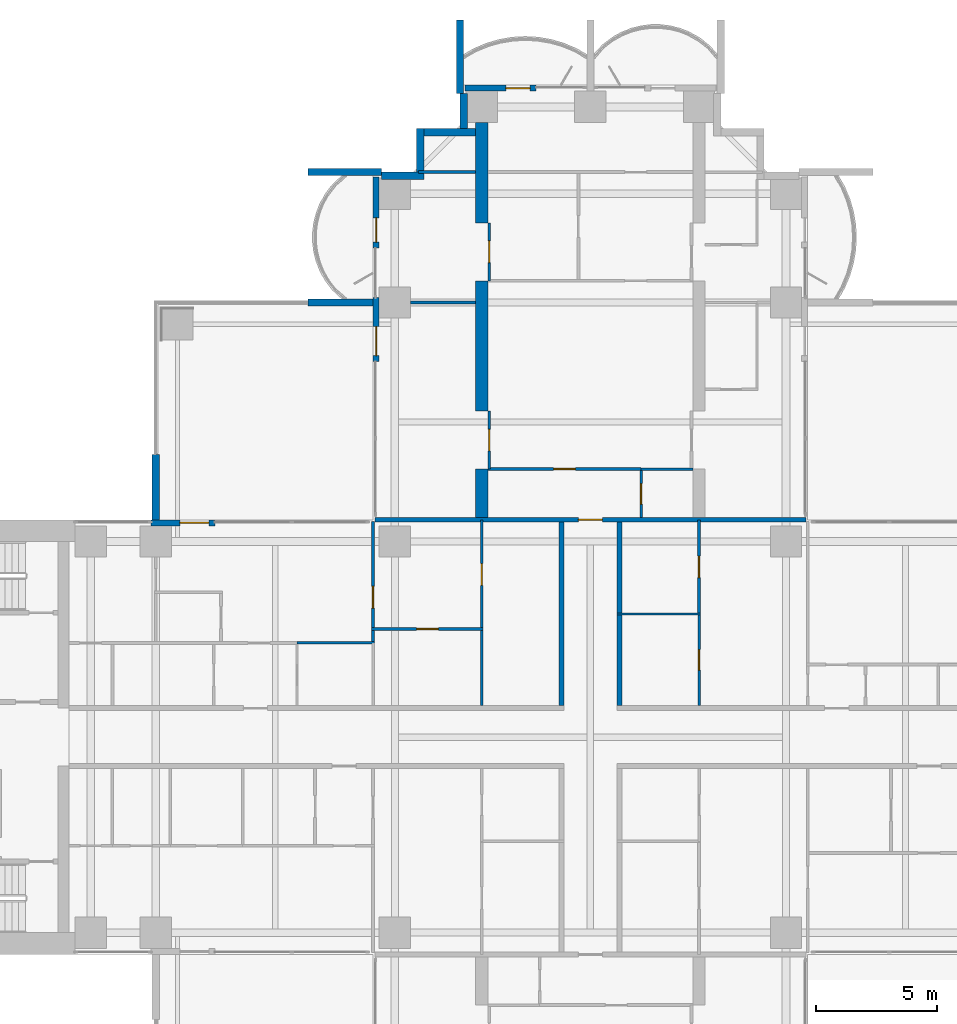
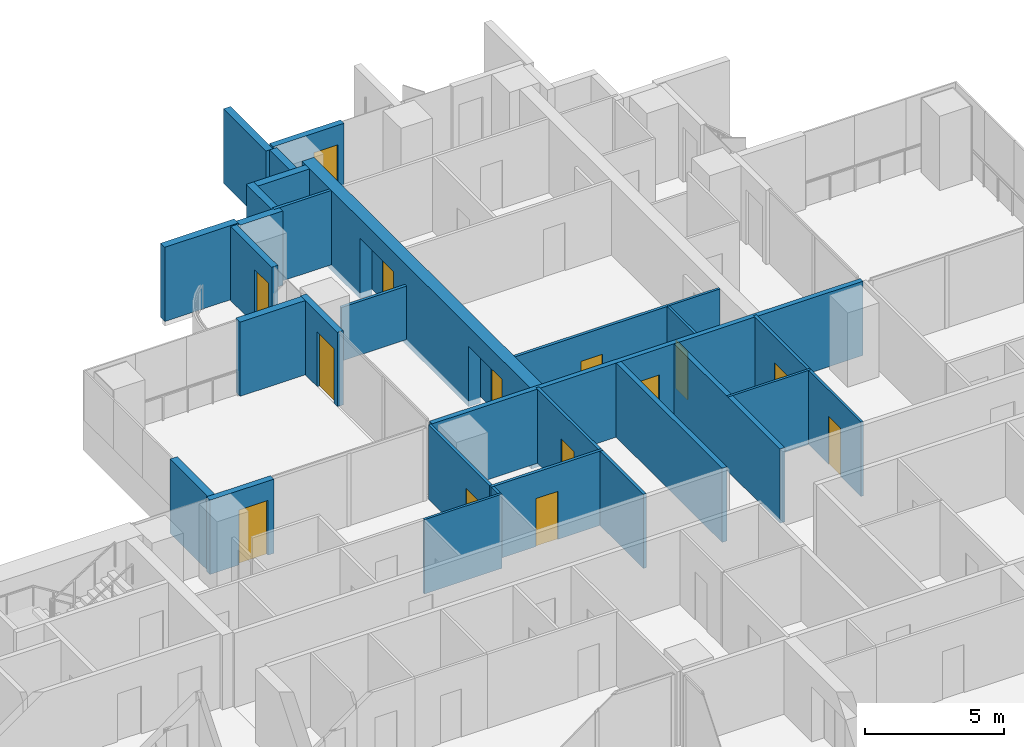
# One storey, part 14 of 21: 30 walls, 14 doors, 14 openings.
"""IFC4 building model written with IfcOpenShell, lengths in metres."""

from ifc_helpers import new_model, si_unit, direction, frame, frame_2d, origin, place, context, subcontext, project, spatial, polyline, rectangle, outline, extrude, material, layer, layer_set, material_profile, profile_set, type_object, element, fill, save


model = new_model("IFC4")

# Units and contexts
model_context = context("Model", 3, precision=1e-05, world=origin(), true_north=direction((0.0, 1.0)))
body_context = subcontext(model_context, "Body", "Model", "MODEL_VIEW")
ifc_project = project(units=[si_unit("LENGTHUNIT", "METRE"), si_unit("AREAUNIT", "SQUARE_METRE"), si_unit("VOLUMEUNIT", "CUBIC_METRE"), si_unit("PLANEANGLEUNIT", "RADIAN"), si_unit("MASSUNIT", "GRAM", prefix="KILO")], contexts=[model_context])

# Site, building, storey
site_placement = place(None, origin())
site = spatial("IfcSite", under=ifc_project, at=site_placement, CompositionType="ELEMENT")
building_placement = place(site_placement, origin())
building = spatial("IfcBuilding", under=site, at=building_placement, Name="Perihelion Cross Residences", CompositionType="ELEMENT")
storey_placement = place(building_placement, frame((0.0, 0.0, 40.0)))
storey = spatial("IfcBuildingStorey", under=building, at=storey_placement, Name="L06", CompositionType="ELEMENT", Elevation=40.0)

# Walls
ifc_material_1 = material(Name="Plasterboard partition")
ifc_layer_1 = layer(ifc_material_1, 0.199951171875)
ifc_layer_set_1 = layer_set([ifc_layer_1], Name="Apartment separation wall 200")
wall_type_1 = type_object("IfcWallType", Name="Apartment separation wall 200", PredefinedType="PARTITIONING", material=ifc_layer_set_1)
for number, where, z_axis, x_axis, name in (
    (1, (1.199951171875, 8.89990234375, 0.0), (0.0, 0.0, 1.0), (0.0, -1.0, 0.0), "Partition L06 W002"),
    (2, (-1.199951171875, 1.300048828125, 0.0), (0.0, 0.0, 1.0), (0.0, 1.0, 0.0), "Partition L06 W006"),
):
    element("IfcWall", number, at=place(storey_placement, frame(where, z_axis=z_axis, x_axis=x_axis)), inside=storey, type_object=wall_type_1, Name=name, PredefinedType="PARTITIONING", context=body_context, shape_type="SweptSolid", body=[
        extrude(rectangle(XDim=7.599853515625, YDim=0.199951171875, at=frame_2d((3.7998046875, 0.0))), origin(), (0.0, 0.0, 1.0), 3.25),
    ])

# Wall, opening, door
wall_1_placement = place(storey_placement, frame((-8.919921875, 9.0, 0.0), z_axis=(0.0, 0.0, 1.0), x_axis=(1.0, 0.0, 0.0)))
wall_1 = element("IfcWall", 3, at=wall_1_placement, inside=storey, type_object=wall_type_1, Name="Partition L06 W009", PredefinedType="PARTITIONING", context=body_context, shape_type="SweptSolid", body=[
    extrude(rectangle(XDim=17.83984375, YDim=0.199951171875, at=frame_2d((8.919921875, 0.0))), origin(), (0.0, 0.0, 1.0), 3.25),
])
opening_1_placement = place(wall_1_placement, frame((8.419921875, 0.0, 0.0)))
opening_1 = element("IfcOpeningElement", 4, at=opening_1_placement, cuts=wall_1, Name="Opening L06.A34", PredefinedType="OPENING", context=body_context, shape_type="SweptSolid", body=[
    extrude(rectangle(XDim=1.0, YDim=2.10009765625, at=frame_2d((0.5, 1.050048828125))), frame((0.0, 0.10986328125, 0.0), z_axis=(0.0, -1.0, 0.0), x_axis=(1.0, 0.0, 0.0)), (0.0, 0.0, 1.0), 0.219970703125),
])
ifc_material_2 = material(Name="Timber door leaf", Category="wood")
door_type_1 = type_object("IfcDoorType", Name="Flat entrance door 1000 x 2100", OperationType="SINGLE_SWING_LEFT", PredefinedType="DOOR", material=ifc_material_2)
door_1_placement = place(opening_1_placement, origin())
door_1 = element("IfcDoor", 5, at=door_1_placement, inside=storey, type_object=door_type_1, Name="Door L06.A34", OperationType="SINGLE_SWING_RIGHT", OverallHeight=2.10009765625, OverallWidth=1.0, PredefinedType="DOOR", context=body_context, shape_type="SweptSolid", body=[
    extrude(rectangle(XDim=1.0, YDim=2.10009765625, at=frame_2d((0.5, 1.050048828125))), frame((0.0, 0.02490234375, 0.0), z_axis=(0.0, -1.0, 0.0), x_axis=(1.0, 0.0, 0.0)), (0.0, 0.0, 1.0), 0.050048828125),
])
fill(opening_1, door_1)

ifc_material_3 = material(Name="Concrete C30/37, bronze-clad", Category="concrete")
ifc_layer_2 = layer(ifc_material_3, 0.25)
ifc_layer_set_2 = layer_set([ifc_layer_2], Name="Bronze-clad pier wall 250")
wall_type_2 = type_object("IfcWallType", Name="Bronze-clad pier wall 250", PredefinedType="SOLIDWALL", material=ifc_layer_set_2)
wall_2_placement = place(storey_placement, frame((-2.25, 26.875, 0.0), z_axis=(0.0, 0.0, 1.0), x_axis=(-1.0, 0.0, 0.0)))
wall_2 = element("IfcWall", 6, at=wall_2_placement, inside=storey, type_object=wall_type_2, Name="Wall FW1 L06 north tip north bay 2 pier", PredefinedType="SOLIDWALL", context=body_context, shape_type="SweptSolid", body=[
    extrude(rectangle(XDim=2.949951171875, YDim=0.25, at=frame_2d((1.47509765625, 0.0))), origin(), (0.0, 0.0, 1.0), 3.25),
])
opening_2_placement = place(wall_2_placement, frame((0.25, 0.0, 0.0)))
opening_2 = element("IfcOpeningElement", 7, at=opening_2_placement, cuts=wall_2, Name="Opening L06.E05", PredefinedType="OPENING", context=body_context, shape_type="SweptSolid", body=[
    extrude(rectangle(XDim=1.0, YDim=2.39990234375, at=frame_2d((0.5, 1.199951171875))), frame((0.0, 0.135009765625, 0.0), z_axis=(0.0, -1.0, 0.0), x_axis=(1.0, 0.0, 0.0)), (0.0, 0.0, 1.0), 0.27001953125),
])
ifc_material_4 = material(Name="Bronze anodised aluminium, glazed", Category="aluminium")
door_type_2 = type_object("IfcDoorType", Name="Balcony door 1000 x 2400", OperationType="NOTDEFINED", PredefinedType="DOOR", material=ifc_material_4)
door_2_placement = place(opening_2_placement, origin())
door_2 = element("IfcDoor", 8, at=door_2_placement, inside=storey, type_object=door_type_2, Name="Door L06.E05 north tip north bay 2", OperationType="SINGLE_SWING_RIGHT", OverallHeight=2.39990234375, OverallWidth=1.0, PredefinedType="DOOR", context=body_context, shape_type="SweptSolid", body=[
    extrude(rectangle(XDim=1.0, YDim=2.39990234375, at=frame_2d((0.5, 1.199951171875))), frame((0.0, 0.02490234375, 0.0), z_axis=(0.0, -1.0, 0.0), x_axis=(1.0, 0.0, 0.0)), (0.0, 0.0, 1.0), 0.050048828125),
])
fill(opening_2, door_2)

wall_3_placement = place(storey_placement, frame((-8.875, 23.199951171875, 0.0), z_axis=(0.0, 0.0, 1.0), x_axis=(0.0, -1.0, 0.0)))
wall_3 = element("IfcWall", 9, at=wall_3_placement, inside=storey, type_object=wall_type_2, Name="Wall FW1 L06 north side west bay 1 pier", PredefinedType="SOLIDWALL", context=body_context, shape_type="SweptSolid", body=[
    extrude(rectangle(XDim=2.949951171875, YDim=0.25, at=frame_2d((1.47509765625, 0.0))), origin(), (0.0, 0.0, 1.0), 3.25),
])
opening_3_placement = place(wall_3_placement, frame((1.699951171875, 0.0, 0.0)))
opening_3 = element("IfcOpeningElement", 10, at=opening_3_placement, cuts=wall_3, Name="Opening L06.E06", PredefinedType="OPENING", context=body_context, shape_type="SweptSolid", body=[
    extrude(rectangle(XDim=1.0, YDim=2.39990234375, at=frame_2d((0.5, 1.199951171875))), frame((0.0, 0.135009765625, 0.0), z_axis=(0.0, -1.0, 0.0), x_axis=(1.0, 0.0, 0.0)), (0.0, 0.0, 1.0), 0.27001953125),
])
door_3_placement = place(opening_3_placement, origin())
door_3 = element("IfcDoor", 11, at=door_3_placement, inside=storey, type_object=door_type_2, Name="Door L06.E06 north side west bay 1", OperationType="SINGLE_SWING_LEFT", OverallHeight=2.39990234375, OverallWidth=1.0, PredefinedType="DOOR", context=body_context, shape_type="SweptSolid", body=[
    extrude(rectangle(XDim=1.0, YDim=2.39990234375, at=frame_2d((0.5, 1.199951171875))), frame((0.0, 0.02490234375, 0.0), z_axis=(0.0, -1.0, 0.0), x_axis=(1.0, 0.0, 0.0)), (0.0, 0.0, 1.0), 0.050048828125),
])
fill(opening_3, door_3)

wall_4_placement = place(storey_placement, frame((-8.875, 18.199951171875, 0.0), z_axis=(0.0, 0.0, 1.0), x_axis=(0.0, -1.0, 0.0)))
wall_4 = element("IfcWall", 12, at=wall_4_placement, inside=storey, type_object=wall_type_2, Name="Wall FW1 L06 north side west bay 2 pier", PredefinedType="SOLIDWALL", context=body_context, shape_type="SweptSolid", body=[
    extrude(rectangle(XDim=2.64990234375, YDim=0.25, at=frame_2d((1.324951171875, 0.0))), origin(), (0.0, 0.0, 1.0), 3.25),
])
opening_4_placement = place(wall_4_placement, frame((1.199951171875, 0.0, 0.0)))
opening_4 = element("IfcOpeningElement", 13, at=opening_4_placement, cuts=wall_4, Name="Opening L06.E07", PredefinedType="OPENING", context=body_context, shape_type="SweptSolid", body=[
    extrude(rectangle(XDim=1.199951171875, YDim=2.39990234375, at=frame_2d((0.60009765625, 1.199951171875))), frame((0.0, 0.135009765625, 0.0), z_axis=(0.0, -1.0, 0.0), x_axis=(1.0, 0.0, 0.0)), (0.0, 0.0, 1.0), 0.27001953125),
])
ifc_material_5 = material(Name="Bronze anodised aluminium, glazed", Category="aluminium")
door_type_3 = type_object("IfcDoorType", Name="Balcony door 1200 x 2400", OperationType="NOTDEFINED", PredefinedType="DOOR", material=ifc_material_5)
door_4_placement = place(opening_4_placement, origin())
door_4 = element("IfcDoor", 14, at=door_4_placement, inside=storey, type_object=door_type_3, Name="Door L06.E07 north side west bay 2", OperationType="SINGLE_SWING_RIGHT", OverallHeight=2.39990234375, OverallWidth=1.199951171875, PredefinedType="DOOR", context=body_context, shape_type="SweptSolid", body=[
    extrude(rectangle(XDim=1.199951171875, YDim=2.39990234375, at=frame_2d((0.60009765625, 1.199951171875))), frame((0.0, 0.02490234375, 0.0), z_axis=(0.0, -1.0, 0.0), x_axis=(1.0, 0.0, 0.0)), (0.0, 0.0, 1.0), 0.050048828125),
])
fill(opening_4, door_4)

wall_5_placement = place(storey_placement, frame((-15.550048828125, 8.875, 0.0), z_axis=(0.0, 0.0, 1.0), x_axis=(-1.0, 0.0, 0.0)))
wall_5 = element("IfcWall", 15, at=wall_5_placement, inside=storey, type_object=wall_type_2, Name="Wall FW1 L06 west side north bay 1 pier", PredefinedType="SOLIDWALL", context=body_context, shape_type="SweptSolid", body=[
    extrude(rectangle(XDim=2.64990234375, YDim=0.25, at=frame_2d((1.324951171875, 0.0))), origin(), (0.0, 0.0, 1.0), 3.25),
])
opening_5_placement = place(wall_5_placement, frame((0.25, 0.0, 0.0)))
opening_5 = element("IfcOpeningElement", 16, at=opening_5_placement, cuts=wall_5, Name="Opening L06.E08", PredefinedType="OPENING", context=body_context, shape_type="SweptSolid", body=[
    extrude(rectangle(XDim=1.199951171875, YDim=2.39990234375, at=frame_2d((0.60009765625, 1.199951171875))), frame((0.0, 0.135009765625, 0.0), z_axis=(0.0, -1.0, 0.0), x_axis=(1.0, 0.0, 0.0)), (0.0, 0.0, 1.0), 0.27001953125),
])
door_5_placement = place(opening_5_placement, origin())
door_5 = element("IfcDoor", 17, at=door_5_placement, inside=storey, type_object=door_type_3, Name="Door L06.E08 west side north bay 1", OperationType="SINGLE_SWING_LEFT", OverallHeight=2.39990234375, OverallWidth=1.199951171875, PredefinedType="DOOR", context=body_context, shape_type="SweptSolid", body=[
    extrude(rectangle(XDim=1.199951171875, YDim=2.39990234375, at=frame_2d((0.60009765625, 1.199951171875))), frame((0.0, 0.02490234375, 0.0), z_axis=(0.0, -1.0, 0.0), x_axis=(1.0, 0.0, 0.0)), (0.0, 0.0, 1.0), 0.050048828125),
])
fill(opening_5, door_5)

# Walls
ifc_material_6 = material(Name="Concrete C30/37, bronze-clad", Category="concrete")
ifc_layer_3 = layer(ifc_material_6, 0.300048828125)
ifc_layer_set_3 = layer_set([ifc_layer_3], Name="Bronze-clad serration wall 300")
wall_type_3 = type_object("IfcWallType", Name="Bronze-clad serration wall 300", PredefinedType="SOLIDWALL", material=ifc_layer_set_3)
wall_6_placement = place(storey_placement, frame((-5.25, 26.64990234375, 0.0), z_axis=(0.0, 0.0, 1.0), x_axis=(0.0, -1.0, 0.0)))
element("IfcWall", 18, at=wall_6_placement, inside=storey, type_object=wall_type_3, Name="Wall SR1 L06 north corner north-west 1", PredefinedType="SOLIDWALL", context=body_context, shape_type="SweptSolid", body=[
    extrude(rectangle(XDim=1.449951171875, YDim=0.300048828125, at=frame_2d((0.72509765625, 0.0))), origin(), (0.0, 0.0, 1.0), 3.25),
])
wall_7_placement = place(storey_placement, frame((-4.75, 25.050048828125, 0.0), z_axis=(0.0, 0.0, 1.0), x_axis=(-1.0, 0.0, 0.0)))
element("IfcWall", 19, at=wall_7_placement, inside=storey, type_object=wall_type_3, Name="Wall SR1 L06 north corner north-west 2", PredefinedType="SOLIDWALL", context=body_context, shape_type="SweptSolid", body=[
    extrude(rectangle(XDim=2.14990234375, YDim=0.300048828125, at=frame_2d((1.074951171875, 0.0))), origin(), (0.0, 0.0, 1.0), 3.25),
])
wall_8_placement = place(storey_placement, frame((-7.050048828125, 25.199951171875, 0.0), z_axis=(0.0, 0.0, 1.0), x_axis=(0.0, -1.0, 0.0)))
element("IfcWall", 20, at=wall_8_placement, inside=storey, type_object=wall_type_3, Name="Wall SR1 L06 north corner north-west 3", PredefinedType="SOLIDWALL", context=body_context, shape_type="SweptSolid", body=[
    extrude(rectangle(XDim=1.800048828125, YDim=0.300048828125, at=frame_2d((0.89990234375, 0.0))), origin(), (0.0, 0.0, 1.0), 3.25),
])
wall_9_placement = place(storey_placement, frame((-6.89990234375, 23.25, 0.0), z_axis=(0.0, 0.0, 1.0), x_axis=(-1.0, 0.0, 0.0)))
element("IfcWall", 21, at=wall_9_placement, inside=storey, type_object=wall_type_3, Name="Wall SR1 L06 north corner north-west 4", PredefinedType="SOLIDWALL", context=body_context, shape_type="SweptSolid", body=[
    extrude(rectangle(XDim=1.75, YDim=0.300048828125, at=frame_2d((0.875, 0.0))), origin(), (0.0, 0.0, 1.0), 3.25),
])

# Wall, opening, door
ifc_material_7 = material(Name="Plasterboard partition")
ifc_layer_4 = layer(ifc_material_7, 0.1201171875)
ifc_layer_set_4 = layer_set([ifc_layer_4], Name="Infill panel 120")
wall_type_4 = type_object("IfcWallType", Name="Infill panel 120", PredefinedType="PARTITIONING", material=ifc_layer_set_4)
wall_10_placement = place(storey_placement, frame((-4.18994140625, 11.10009765625, 0.0), z_axis=(0.0, 0.0, 1.0), x_axis=(0.0, 1.0, 0.0)))
wall_10 = element("IfcWall", 22, at=wall_10_placement, inside=storey, type_object=wall_type_4, Name="Partition L06 WI03", PredefinedType="PARTITIONING", context=body_context, shape_type="SweptSolid", body=[
    extrude(rectangle(XDim=2.39990234375, YDim=0.1201171875, at=frame_2d((1.199951171875, 0.0))), origin(), (0.0, 0.0, 1.0), 2.39990234375),
])
opening_6_placement = place(wall_10_placement, frame((0.75, 0.0, 0.0)))
opening_6 = element("IfcOpeningElement", 23, at=opening_6_placement, cuts=wall_10, Name="Opening L06.A56", PredefinedType="OPENING", context=body_context, shape_type="SweptSolid", body=[
    extrude(rectangle(XDim=0.89990234375, YDim=2.10009765625, at=frame_2d((0.449951171875, 1.050048828125))), frame((0.0, 0.070068359375, 0.0), z_axis=(0.0, -1.0, 0.0), x_axis=(1.0, 0.0, 0.0)), (0.0, 0.0, 1.0), 0.14013671875),
])
ifc_material_8 = material(Name="Timber door leaf", Category="wood")
door_type_4 = type_object("IfcDoorType", Name="Interior room door 900 x 2100", OperationType="SINGLE_SWING_LEFT", PredefinedType="DOOR", material=ifc_material_8)
door_6_placement = place(opening_6_placement, origin())
door_6 = element("IfcDoor", 24, at=door_6_placement, inside=storey, type_object=door_type_4, Name="Door L06.A56", OperationType="SINGLE_SWING_LEFT", OverallHeight=2.10009765625, OverallWidth=0.89990234375, PredefinedType="DOOR", context=body_context, shape_type="SweptSolid", body=[
    extrude(rectangle(XDim=0.89990234375, YDim=2.10009765625, at=frame_2d((0.449951171875, 1.050048828125))), frame((0.0, 0.02490234375, 0.0), z_axis=(0.0, -1.0, 0.0), x_axis=(1.0, 0.0, 0.0)), (0.0, 0.0, 1.0), 0.050048828125),
])
fill(opening_6, door_6)

wall_11_placement = place(storey_placement, frame((-4.18994140625, 18.89990234375, 0.0), z_axis=(0.0, 0.0, 1.0), x_axis=(0.0, 1.0, 0.0)))
wall_11 = element("IfcWall", 25, at=wall_11_placement, inside=storey, type_object=wall_type_4, Name="Partition L06 WI04", PredefinedType="PARTITIONING", context=body_context, shape_type="SweptSolid", body=[
    extrude(rectangle(XDim=2.400146484375, YDim=0.1201171875, at=frame_2d((1.2001953125, 0.0))), origin(), (0.0, 0.0, 1.0), 2.39990234375),
])
opening_7_placement = place(wall_11_placement, frame((0.75, 0.0, 0.0)))
opening_7 = element("IfcOpeningElement", 26, at=opening_7_placement, cuts=wall_11, Name="Opening L06.A57", PredefinedType="OPENING", context=body_context, shape_type="SweptSolid", body=[
    extrude(rectangle(XDim=0.89990234375, YDim=2.10009765625, at=frame_2d((0.449951171875, 1.050048828125))), frame((0.0, 0.070068359375, 0.0), z_axis=(0.0, -1.0, 0.0), x_axis=(1.0, 0.0, 0.0)), (0.0, 0.0, 1.0), 0.14013671875),
])
door_7_placement = place(opening_7_placement, origin())
door_7 = element("IfcDoor", 27, at=door_7_placement, inside=storey, type_object=door_type_4, Name="Door L06.A57", OperationType="SINGLE_SWING_RIGHT", OverallHeight=2.10009765625, OverallWidth=0.89990234375, PredefinedType="DOOR", context=body_context, shape_type="SweptSolid", body=[
    extrude(rectangle(XDim=0.89990234375, YDim=2.10009765625, at=frame_2d((0.449951171875, 1.050048828125))), frame((0.0, 0.02490234375, 0.0), z_axis=(0.0, -1.0, 0.0), x_axis=(1.0, 0.0, 0.0)), (0.0, 0.0, 1.0), 0.050048828125),
])
fill(opening_7, door_7)

ifc_material_9 = material(Name="Plasterboard partition")
ifc_layer_5 = layer(ifc_material_9, 0.1201171875)
ifc_layer_set_5 = layer_set([ifc_layer_5], Name="Partition wall 120")
wall_type_5 = type_object("IfcWallType", Name="Partition wall 120", PredefinedType="PARTITIONING", material=ifc_layer_set_5)
wall_12_placement = place(storey_placement, frame((4.5, 5.10009765625, 0.0), z_axis=(0.0, 0.0, 1.0), x_axis=(0.0, 1.0, 0.0)))
wall_12 = element("IfcWall", 28, at=wall_12_placement, inside=storey, type_object=wall_type_5, Name="Partition L06 W021", PredefinedType="PARTITIONING", context=body_context, shape_type="SweptSolid", body=[
    extrude(rectangle(XDim=3.89990234375, YDim=0.1201171875, at=frame_2d((1.949951171875, 0.0))), origin(), (0.0, 0.0, 1.0), 3.25),
])
opening_8_placement = place(wall_12_placement, frame((1.5, 0.0, 0.0)))
opening_8 = element("IfcOpeningElement", 29, at=opening_8_placement, cuts=wall_12, Name="Opening L06.A03", PredefinedType="OPENING", context=body_context, shape_type="SweptSolid", body=[
    extrude(rectangle(XDim=0.89990234375, YDim=2.10009765625, at=frame_2d((0.449951171875, 1.050048828125))), frame((0.0, 0.070068359375, 0.0), z_axis=(0.0, -1.0, 0.0), x_axis=(1.0, 0.0, 0.0)), (0.0, 0.0, 1.0), 0.14013671875),
])
door_8_placement = place(opening_8_placement, origin())
door_8 = element("IfcDoor", 30, at=door_8_placement, inside=storey, type_object=door_type_4, Name="Door L06.A03", OperationType="SINGLE_SWING_RIGHT", OverallHeight=2.10009765625, OverallWidth=0.89990234375, PredefinedType="DOOR", context=body_context, shape_type="SweptSolid", body=[
    extrude(rectangle(XDim=0.89990234375, YDim=2.10009765625, at=frame_2d((0.449951171875, 1.050048828125))), frame((0.0, 0.02490234375, 0.0), z_axis=(0.0, -1.0, 0.0), x_axis=(1.0, 0.0, 0.0)), (0.0, 0.0, 1.0), 0.050048828125),
])
fill(opening_8, door_8)

wall_13_placement = place(storey_placement, frame((-9.0, 8.919921875, 0.0), z_axis=(0.0, 0.0, 1.0), x_axis=(0.0, -1.0, 0.0)))
wall_13 = element("IfcWall", 31, at=wall_13_placement, inside=storey, type_object=wall_type_5, Name="Partition L06 W042", PredefinedType="PARTITIONING", context=body_context, shape_type="SweptSolid", body=[
    extrude(rectangle(XDim=5.02001953125, YDim=0.1201171875, at=frame_2d((2.510009765625, 0.0))), origin(), (0.0, 0.0, 1.0), 3.25),
])
opening_9_placement = place(wall_13_placement, frame((2.681884765625, 0.0, 0.0)))
opening_9 = element("IfcOpeningElement", 32, at=opening_9_placement, cuts=wall_13, Name="Opening L06.A21", PredefinedType="OPENING", context=body_context, shape_type="SweptSolid", body=[
    extrude(rectangle(XDim=0.89990234375, YDim=2.10009765625, at=frame_2d((0.449951171875, 1.050048828125))), frame((0.0, 0.070068359375, 0.0), z_axis=(0.0, -1.0, 0.0), x_axis=(1.0, 0.0, 0.0)), (0.0, 0.0, 1.0), 0.14013671875),
])
door_9_placement = place(opening_9_placement, origin())
door_9 = element("IfcDoor", 33, at=door_9_placement, inside=storey, type_object=door_type_4, Name="Door L06.A21", OperationType="SINGLE_SWING_LEFT", OverallHeight=2.10009765625, OverallWidth=0.89990234375, PredefinedType="DOOR", context=body_context, shape_type="SweptSolid", body=[
    extrude(rectangle(XDim=0.89990234375, YDim=2.10009765625, at=frame_2d((0.449951171875, 1.050048828125))), frame((0.0, 0.02490234375, 0.0), z_axis=(0.0, -1.0, 0.0), x_axis=(1.0, 0.0, 0.0)), (0.0, 0.0, 1.0), 0.050048828125),
])
fill(opening_9, door_9)

wall_14_placement = place(storey_placement, frame((-9.06005859375, 4.47607421875, 0.0), z_axis=(0.0, 0.0, 1.0), x_axis=(1.0, 0.0, 0.0)))
wall_14 = element("IfcWall", 34, at=wall_14_placement, inside=storey, type_object=wall_type_5, Name="Partition L06 W043", PredefinedType="PARTITIONING", context=body_context, shape_type="SweptSolid", body=[
    extrude(rectangle(XDim=4.6201171875, YDim=0.1201171875, at=frame_2d((2.31005859375, 0.0))), origin(), (0.0, 0.0, 1.0), 3.25),
])
opening_10_placement = place(wall_14_placement, frame((1.860107421875, 0.0, 0.0)))
opening_10 = element("IfcOpeningElement", 35, at=opening_10_placement, cuts=wall_14, Name="Opening L06.A19", PredefinedType="OPENING", context=body_context, shape_type="SweptSolid", body=[
    extrude(rectangle(XDim=0.89990234375, YDim=2.10009765625, at=frame_2d((0.449951171875, 1.050048828125))), frame((0.0, 0.070068359375, 0.0), z_axis=(0.0, -1.0, 0.0), x_axis=(1.0, 0.0, 0.0)), (0.0, 0.0, 1.0), 0.14013671875),
])
door_10_placement = place(opening_10_placement, origin())
door_10 = element("IfcDoor", 36, at=door_10_placement, inside=storey, type_object=door_type_4, Name="Door L06.A19", OperationType="SINGLE_SWING_RIGHT", OverallHeight=2.10009765625, OverallWidth=0.89990234375, PredefinedType="DOOR", context=body_context, shape_type="SweptSolid", body=[
    extrude(rectangle(XDim=0.89990234375, YDim=2.10009765625, at=frame_2d((0.449951171875, 1.050048828125))), frame((0.0, 0.02490234375, 0.0), z_axis=(0.0, -1.0, 0.0), x_axis=(1.0, 0.0, 0.0)), (0.0, 0.0, 1.0), 0.050048828125),
])
fill(opening_10, door_10)

wall_15_placement = place(storey_placement, frame((-4.5, 9.0, 0.0), z_axis=(0.0, 0.0, 1.0), x_axis=(0.0, -1.0, 0.0)))
wall_15 = element("IfcWall", 37, at=wall_15_placement, inside=storey, type_object=wall_type_5, Name="Partition L06 W044", PredefinedType="PARTITIONING", context=body_context, shape_type="SweptSolid", body=[
    extrude(rectangle(XDim=7.699951171875, YDim=0.1201171875, at=frame_2d((3.85009765625, 0.0))), origin(), (0.0, 0.0, 1.0), 3.25),
])
opening_11_placement = place(wall_15_placement, frame((1.81201171875, 0.0, 0.0)))
opening_11 = element("IfcOpeningElement", 38, at=opening_11_placement, cuts=wall_15, Name="Opening L06.A20", PredefinedType="OPENING", context=body_context, shape_type="SweptSolid", body=[
    extrude(rectangle(XDim=0.89990234375, YDim=2.10009765625, at=frame_2d((0.449951171875, 1.050048828125))), frame((0.0, 0.070068359375, 0.0), z_axis=(0.0, -1.0, 0.0), x_axis=(1.0, 0.0, 0.0)), (0.0, 0.0, 1.0), 0.14013671875),
])
door_11_placement = place(opening_11_placement, origin())
door_11 = element("IfcDoor", 39, at=door_11_placement, inside=storey, type_object=door_type_4, Name="Door L06.A20", OperationType="SINGLE_SWING_LEFT", OverallHeight=2.10009765625, OverallWidth=0.89990234375, PredefinedType="DOOR", context=body_context, shape_type="SweptSolid", body=[
    extrude(rectangle(XDim=0.89990234375, YDim=2.10009765625, at=frame_2d((0.449951171875, 1.050048828125))), frame((0.0, 0.02490234375, 0.0), z_axis=(0.0, -1.0, 0.0), x_axis=(1.0, 0.0, 0.0)), (0.0, 0.0, 1.0), 0.050048828125),
])
fill(opening_11, door_11)

wall_16_placement = place(storey_placement, frame((-4.25, 11.10009765625, 0.0), z_axis=(0.0, 0.0, 1.0), x_axis=(1.0, 0.0, 0.0)))
wall_16 = element("IfcWall", 40, at=wall_16_placement, inside=storey, type_object=wall_type_5, Name="Partition L06 W058", PredefinedType="PARTITIONING", context=body_context, shape_type="SweptSolid", body=[
    extrude(rectangle(XDim=6.35009765625, YDim=0.1201171875, at=frame_2d((3.175048828125, 0.0))), origin(), (0.0, 0.0, 1.0), 3.25),
])
opening_12_placement = place(wall_16_placement, frame((2.72509765625, 0.0, 0.0)))
opening_12 = element("IfcOpeningElement", 41, at=opening_12_placement, cuts=wall_16, Name="Opening L06.A36", PredefinedType="OPENING", context=body_context, shape_type="SweptSolid", body=[
    extrude(rectangle(XDim=0.89990234375, YDim=2.10009765625, at=frame_2d((0.449951171875, 1.050048828125))), frame((0.0, 0.070068359375, 0.0), z_axis=(0.0, -1.0, 0.0), x_axis=(1.0, 0.0, 0.0)), (0.0, 0.0, 1.0), 0.14013671875),
])
door_12_placement = place(opening_12_placement, origin())
door_12 = element("IfcDoor", 42, at=door_12_placement, inside=storey, type_object=door_type_4, Name="Door L06.A36", OperationType="SINGLE_SWING_LEFT", OverallHeight=2.10009765625, OverallWidth=0.89990234375, PredefinedType="DOOR", context=body_context, shape_type="SweptSolid", body=[
    extrude(rectangle(XDim=0.89990234375, YDim=2.10009765625, at=frame_2d((0.449951171875, 1.050048828125))), frame((0.0, 0.02490234375, 0.0), z_axis=(0.0, -1.0, 0.0), x_axis=(1.0, 0.0, 0.0)), (0.0, 0.0, 1.0), 0.050048828125),
])
fill(opening_12, door_12)

# Walls
wall_17_placement = place(storey_placement, frame((-7.449951171875, 18.0, 0.0), z_axis=(0.0, 0.0, 1.0), x_axis=(1.0, 0.0, 0.0)))
element("IfcWall", 43, at=wall_17_placement, inside=storey, type_object=wall_type_5, Name="Partition L06 W070", PredefinedType="PARTITIONING", context=body_context, shape_type="SweptSolid", body=[
    extrude(rectangle(XDim=2.699951171875, YDim=0.1201171875, at=frame_2d((1.35009765625, 0.0))), origin(), (0.0, 0.0, 1.0), 2.345947265625),
])
wall_18_placement = place(storey_placement, frame((-7.1201171875, 23.39990234375, 0.0), z_axis=(0.0, 0.0, 1.0), x_axis=(1.0, 0.0, 0.0)))
element("IfcWall", 44, at=wall_18_placement, inside=storey, type_object=wall_type_5, Name="Partition L06 W071", PredefinedType="PARTITIONING", context=body_context, shape_type="SweptSolid", body=[
    extrude(rectangle(XDim=2.3701171875, YDim=0.1201171875, at=frame_2d((1.18505859375, 0.0))), origin(), (0.0, 0.0, 1.0), 3.25),
])
ifc_material_10 = material(Name="Precast concrete C50/60", Category="concrete")
ifc_layer_6 = layer(ifc_material_10, 0.300048828125)
ifc_layer_set_6 = layer_set([ifc_layer_6], Name="Precast concrete C50/60 blade wall 300")
wall_type_6 = type_object("IfcWallType", Name="Precast concrete C50/60 blade wall 300", PredefinedType="SOLIDWALL", material=ifc_layer_set_6)
for number, where, z_axis, x_axis, name in (
    (45, (-18.0, 8.75, 0.0), (0.0, 0.0, 1.0), (0.0, 1.0, 0.0), "Wall BL1 L06 no. 2"),
    (46, (-8.75, 18.0, 0.0), (0.0, 0.0, 1.0), (-1.0, 0.0, 0.0), "Wall BL1 L06 no. 7"),
):
    element("IfcWall", number, at=place(storey_placement, frame(where, z_axis=z_axis, x_axis=x_axis)), inside=storey, type_object=wall_type_6, Name=name, PredefinedType="SOLIDWALL", context=body_context, shape_type="SweptSolid", body=[
        extrude(rectangle(XDim=2.949951171875, YDim=0.300048828125, at=frame_2d((1.47509765625, 0.0))), origin(), (0.0, 0.0, 1.0), 3.25),
    ])
for number, where, z_axis, x_axis, name in (
    (47, (-8.64990234375, 23.39990234375, 0.0), (0.0, 0.0, 1.0), (-1.0, 0.0, 0.0), "Wall BL1 L06 no. 8"),
    (48, (-5.39990234375, 26.64990234375, 0.0), (0.0, 0.0, 1.0), (0.0, 1.0, 0.0), "Wall BL1 L06 no. 4"),
):
    element("IfcWall", number, at=place(storey_placement, frame(where, z_axis=z_axis, x_axis=x_axis)), inside=storey, type_object=wall_type_6, Name=name, PredefinedType="SOLIDWALL", context=body_context, shape_type="SweptSolid", body=[
        extrude(rectangle(XDim=3.050048828125, YDim=0.300048828125, at=frame_2d((1.52490234375, 0.0))), origin(), (0.0, 0.0, 1.0), 3.25),
    ])
ifc_material_11 = material(Name="Concrete C60/75", Category="concrete")
ifc_material_profile = material_profile(ifc_material_11, outline(polyline([(0.0, 0.0), (2.10009765625, 0.0), (2.10009765625, 2.64990234375), (4.5, 2.64990234375), (4.5, 0.0), (9.89990234375, 0.0), (9.89990234375, 2.64990234375), (12.300048828125, 2.64990234375), (12.300048828125, 0.0), (16.449951171875, 0.0), (16.449951171875, 3.5), (0.0, 3.5), (0.0, 0.0)])), Name="Tip spine wall")
ifc_profile_set = profile_set([ifc_material_profile], Name="Concrete C60/75")
wall_type_7 = type_object("IfcWallType", Name="Tip spine wall 500 with 2 door openings 16450 long 3500 high concrete C60/75 hand B", PredefinedType="SHEAR", material=ifc_profile_set)
wall_19_placement = place(storey_placement, frame((-4.75, 9.0, -0.25), z_axis=(1.0, 0.0, 0.0), x_axis=(0.0, 1.0, 0.0)))
element("IfcWall", 49, at=wall_19_placement, inside=storey, type_object=wall_type_7, Name="Shear wall SW23 L06 north west", PredefinedType="SHEAR", context=body_context, shape_type="SweptSolid", body=[
    extrude(outline(polyline([(0.0, 0.0), (2.10009765625, 0.0), (2.10009765625, 2.64990234375), (4.5, 2.64990234375), (4.5, 0.0), (9.89990234375, 0.0), (9.89990234375, 2.64990234375), (12.300048828125, 2.64990234375), (12.300048828125, 0.0), (16.449951171875, 0.0), (16.449951171875, 3.5), (0.0, 3.5), (0.0, 0.0)])), origin(), (0.0, 0.0, 1.0), 0.5),
])

# Wall, opening, door
ifc_material_12 = material(Name="Plasterboard partition")
ifc_layer_7 = layer(ifc_material_12, 0.10009765625)
ifc_layer_set_7 = layer_set([ifc_layer_7], Name="Wet room wall 100")
wall_type_8 = type_object("IfcWallType", Name="Wet room wall 100", PredefinedType="PARTITIONING", material=ifc_layer_set_7)
wall_20_placement = place(storey_placement, frame((4.5, 1.300048828125, 0.0), z_axis=(0.0, 0.0, 1.0), x_axis=(0.0, 1.0, 0.0)))
wall_20 = element("IfcWall", 50, at=wall_20_placement, inside=storey, type_object=wall_type_8, Name="Partition L06 W020", PredefinedType="PARTITIONING", context=body_context, shape_type="SweptSolid", body=[
    extrude(rectangle(XDim=3.800048828125, YDim=0.10009765625, at=frame_2d((1.89990234375, 0.0))), origin(), (0.0, 0.0, 1.0), 3.25),
])
opening_13_placement = place(wall_20_placement, frame((1.47509765625, 0.0, 0.0)))
opening_13 = element("IfcOpeningElement", 51, at=opening_13_placement, cuts=wall_20, Name="Opening L06.A05", PredefinedType="OPENING", context=body_context, shape_type="SweptSolid", body=[
    extrude(rectangle(XDim=0.85009765625, YDim=2.10009765625, at=frame_2d((0.425048828125, 1.050048828125))), frame((0.0, 0.06005859375, 0.0), z_axis=(0.0, -1.0, 0.0), x_axis=(1.0, 0.0, 0.0)), (0.0, 0.0, 1.0), 0.1201171875),
])
ifc_material_13 = material(Name="Timber door leaf", Category="wood")
door_type_5 = type_object("IfcDoorType", Name="Interior bathroom door 850 x 2100", OperationType="SINGLE_SWING_LEFT", PredefinedType="DOOR", material=ifc_material_13)
door_13_placement = place(opening_13_placement, origin())
door_13 = element("IfcDoor", 52, at=door_13_placement, inside=storey, type_object=door_type_5, Name="Door L06.A05", OperationType="SINGLE_SWING_RIGHT", OverallHeight=2.10009765625, OverallWidth=0.85009765625, PredefinedType="DOOR", context=body_context, shape_type="SweptSolid", body=[
    extrude(rectangle(XDim=0.85009765625, YDim=2.10009765625, at=frame_2d((0.425048828125, 1.050048828125))), frame((0.0, 0.02490234375, 0.0), z_axis=(0.0, -1.0, 0.0), x_axis=(1.0, 0.0, 0.0)), (0.0, 0.0, 1.0), 0.050048828125),
])
fill(opening_13, door_13)

# Walls
wall_21_placement = place(storey_placement, frame((1.10009765625, 5.10009765625, 0.0), z_axis=(0.0, 0.0, 1.0), x_axis=(1.0, 0.0, 0.0)))
element("IfcWall", 53, at=wall_21_placement, inside=storey, type_object=wall_type_8, Name="Partition L06 W022", PredefinedType="PARTITIONING", context=body_context, shape_type="SweptSolid", body=[
    extrude(rectangle(XDim=3.4599609375, YDim=0.10009765625, at=frame_2d((1.72998046875, 0.0))), origin(), (0.0, 0.0, 1.0), 3.25),
])
wall_22_placement = place(storey_placement, frame((-12.14990234375, 3.89990234375, 0.0), z_axis=(0.0, 0.0, 1.0), x_axis=(1.0, 0.0, 0.0)))
element("IfcWall", 54, at=wall_22_placement, inside=storey, type_object=wall_type_8, Name="Partition L06 W034", PredefinedType="PARTITIONING", context=body_context, shape_type="SweptSolid", body=[
    extrude(rectangle(XDim=3.2099609375, YDim=0.10009765625, at=frame_2d((1.60498046875, 0.0))), origin(), (0.0, 0.0, 1.0), 3.25),
])

# Wall, opening, door
wall_23_placement = place(storey_placement, frame((2.10009765625, 11.0400390625, 0.0), z_axis=(0.0, 0.0, 1.0), x_axis=(0.0, -1.0, 0.0)))
wall_23 = element("IfcWall", 55, at=wall_23_placement, inside=storey, type_object=wall_type_8, Name="Partition L06 W057", PredefinedType="PARTITIONING", context=body_context, shape_type="SweptSolid", body=[
    extrude(rectangle(XDim=1.93994140625, YDim=0.10009765625, at=frame_2d((0.969970703125, 0.0))), origin(), (0.0, 0.0, 1.0), 3.25),
])
opening_14_placement = place(wall_23_placement, frame((0.544921875, 0.0, 0.0)))
opening_14 = element("IfcOpeningElement", 56, at=opening_14_placement, cuts=wall_23, Name="Opening L06.A35", PredefinedType="OPENING", context=body_context, shape_type="SweptSolid", body=[
    extrude(rectangle(XDim=0.85009765625, YDim=2.10009765625, at=frame_2d((0.425048828125, 1.050048828125))), frame((0.0, 0.06005859375, 0.0), z_axis=(0.0, -1.0, 0.0), x_axis=(1.0, 0.0, 0.0)), (0.0, 0.0, 1.0), 0.1201171875),
])
door_14_placement = place(opening_14_placement, origin())
door_14 = element("IfcDoor", 57, at=door_14_placement, inside=storey, type_object=door_type_5, Name="Door L06.A35", OperationType="SINGLE_SWING_LEFT", OverallHeight=2.10009765625, OverallWidth=0.85009765625, PredefinedType="DOOR", context=body_context, shape_type="SweptSolid", body=[
    extrude(rectangle(XDim=0.85009765625, YDim=2.10009765625, at=frame_2d((0.425048828125, 1.050048828125))), frame((0.0, 0.02490234375, 0.0), z_axis=(0.0, -1.0, 0.0), x_axis=(1.0, 0.0, 0.0)), (0.0, 0.0, 1.0), 0.050048828125),
])
fill(opening_14, door_14)

# Wall
wall_24_placement = place(storey_placement, frame((2.10009765625, 11.10009765625, 0.0), z_axis=(0.0, 0.0, 1.0), x_axis=(1.0, 0.0, 0.0)))
element("IfcWall", 58, at=wall_24_placement, inside=storey, type_object=wall_type_8, Name="Partition L06 W059", PredefinedType="PARTITIONING", context=body_context, shape_type="SweptSolid", body=[
    extrude(rectangle(XDim=2.14990234375, YDim=0.10009765625, at=frame_2d((1.074951171875, 0.0))), origin(), (0.0, 0.0, 1.0), 3.25),
])

save(model, "model.ifc")
